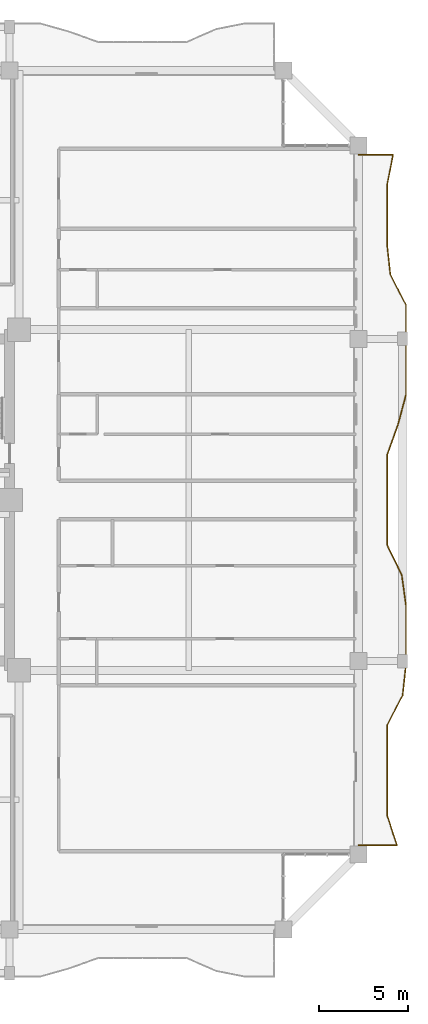
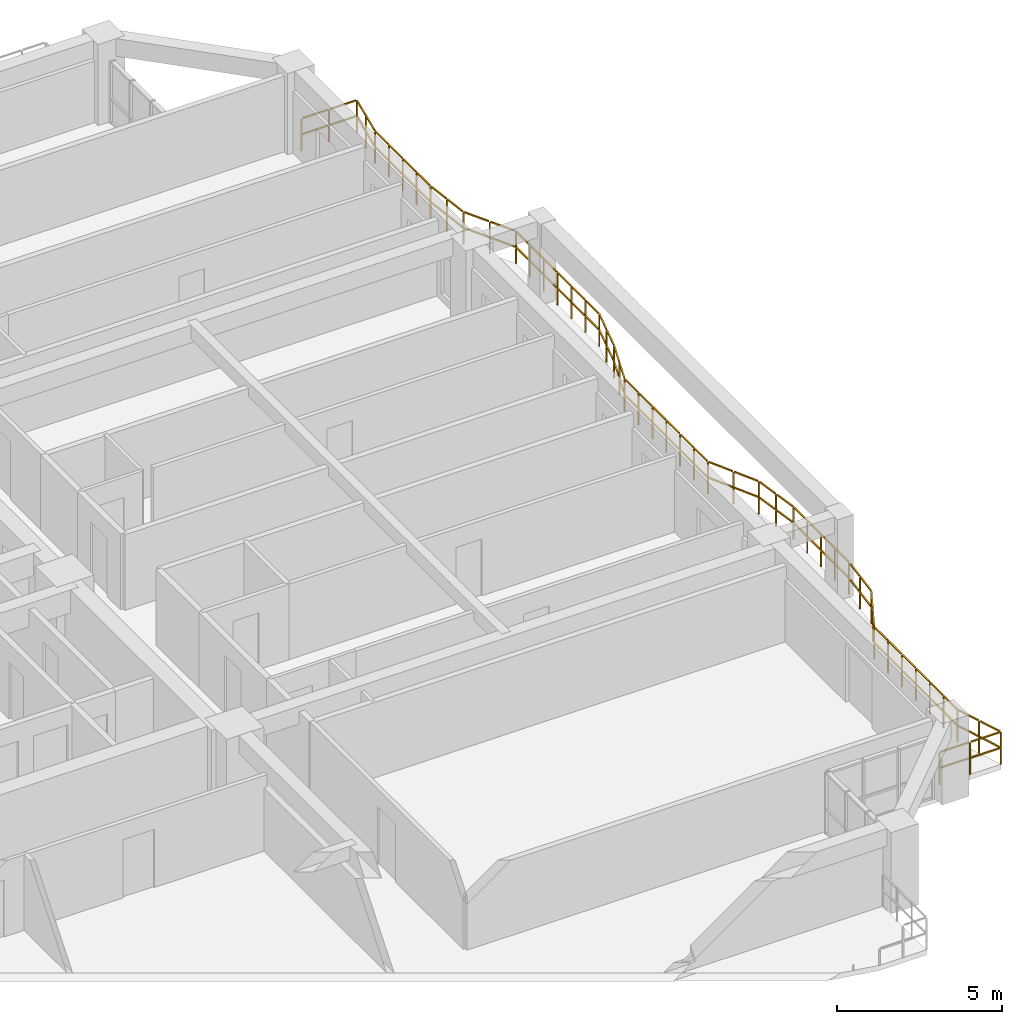
# One storey, part 23 of 24: 1 railing.
"""IFC4 building model written with IfcOpenShell, lengths in metres."""

from ifc_helpers import new_model, si_unit, direction, frame, origin, origin_2d, place, context, subcontext, project, spatial, rectangle, extrude, material, type_object, element, save


model = new_model("IFC4")

# Units and contexts
model_context = context("Model", 3, precision=1e-05, world=origin(), true_north=direction((0.0, 1.0)))
body_context = subcontext(model_context, "Body", "Model", "MODEL_VIEW")
ifc_project = project(units=[si_unit("LENGTHUNIT", "METRE"), si_unit("AREAUNIT", "SQUARE_METRE"), si_unit("VOLUMEUNIT", "CUBIC_METRE"), si_unit("PLANEANGLEUNIT", "RADIAN"), si_unit("MASSUNIT", "GRAM", prefix="KILO")], contexts=[model_context])

# Site, building, storey
site_placement = place(None, origin())
site = spatial("IfcSite", under=ifc_project, at=site_placement, CompositionType="ELEMENT")
building_placement = place(site_placement, origin())
building = spatial("IfcBuilding", under=site, at=building_placement, Name="Saelheon Loggia Tower", CompositionType="ELEMENT")
storey_placement = place(building_placement, frame((0.0, 0.0, 126.75)))
storey = spatial("IfcBuildingStorey", under=building, at=storey_placement, Name="L40", CompositionType="ELEMENT", Elevation=126.75)

# Railing
ifc_material = material(Name="Architectural Precast Concrete and Laminated Glass Guard", Category="concrete")
railing_type = type_object("IfcRailingType", Name="Guard_Loggia_RL_LOG", PredefinedType="BALUSTRADE", material=ifc_material)
railing_placement = place(storey_placement, frame((64.0, 7.699951171875, 0.0)))
element("IfcRailing", 1, at=railing_placement, inside=storey, type_object=railing_type, Name="L40 East Loggia Balustrade", PredefinedType="BALUSTRADE", context=body_context, shape_type="SweptSolid", body=[
    extrude(rectangle(XDim=0.048095703125, YDim=0.048095703125, at=origin_2d()), frame((0.033203125, 0.0, 1.19580078125), z_axis=(1.0, 0.0, 0.0), x_axis=(0.0, 1.0, 0.0)), (0.0, 0.0, 1.0), 1.008544921875),
    extrude(rectangle(XDim=0.048095703125, YDim=0.048095703125, at=origin_2d()), frame((0.033203125, 0.0, 0.60986328125), z_axis=(1.0, 0.0, 0.0), x_axis=(0.0, 1.0, 0.0)), (0.0, 0.0, 1.0), 1.008544921875),
    extrude(rectangle(XDim=0.048095703125, YDim=0.048095703125, at=origin_2d()), frame((1.108154296875, 0.0, 1.19580078125), z_axis=(1.0, 0.0, 0.0), x_axis=(0.0, 1.0, 0.0)), (0.0, 0.0, 1.0), 1.008544921875),
    extrude(rectangle(XDim=0.048095703125, YDim=0.048095703125, at=origin_2d()), frame((1.108154296875, 0.0, 0.60986328125), z_axis=(1.0, 0.0, 0.0), x_axis=(0.0, 1.0, 0.0)), (0.0, 0.0, 1.0), 1.008544921875),
    extrude(rectangle(XDim=0.048095703125, YDim=0.048095703125, at=origin_2d()), frame((2.1396484375, 0.031494140625, 1.19580078125), z_axis=(-0.311288759302, 0.950315373091, 0.0), x_axis=(-0.950315373091, -0.311288759302, 0.0)), (0.0, 0.0, 1.0), 0.816650390625),
    extrude(rectangle(XDim=0.048095703125, YDim=0.048095703125, at=origin_2d()), frame((2.1396484375, 0.031494140625, 0.60986328125), z_axis=(-0.311288759302, 0.950315373091, 0.0), x_axis=(-0.950315373091, -0.311288759302, 0.0)), (0.0, 0.0, 1.0), 0.816650390625),
    extrude(rectangle(XDim=0.048095703125, YDim=0.048095703125, at=origin_2d()), frame((1.86474609375, 0.870849609375, 1.19580078125), z_axis=(-0.311288759302, 0.950315373091, 0.0), x_axis=(-0.950315373091, -0.311288759302, 0.0)), (0.0, 0.0, 1.0), 0.816650390625),
    extrude(rectangle(XDim=0.048095703125, YDim=0.048095703125, at=origin_2d()), frame((1.86474609375, 0.870849609375, 0.60986328125), z_axis=(-0.311288759302, 0.950315373091, 0.0), x_axis=(-0.950315373091, -0.311288759302, 0.0)), (0.0, 0.0, 1.0), 0.816650390625),
    extrude(rectangle(XDim=0.048095703125, YDim=0.048095703125, at=origin_2d()), frame((1.60009765625, 1.711669921875, 1.19580078125), z_axis=(0.0, 1.0, 0.0), x_axis=(-1.0, 0.0, 0.0)), (0.0, 0.0, 1.0), 0.7724609375),
    extrude(rectangle(XDim=0.048095703125, YDim=0.048095703125, at=origin_2d()), frame((1.60009765625, 1.711669921875, 0.60986328125), z_axis=(0.0, 1.0, 0.0), x_axis=(-1.0, 0.0, 0.0)), (0.0, 0.0, 1.0), 0.7724609375),
    extrude(rectangle(XDim=0.048095703125, YDim=0.048095703125, at=origin_2d()), frame((1.60009765625, 2.55078125, 1.19580078125), z_axis=(0.0, 1.0, 0.0), x_axis=(-1.0, 0.0, 0.0)), (0.0, 0.0, 1.0), 0.7724609375),
    extrude(rectangle(XDim=0.048095703125, YDim=0.048095703125, at=origin_2d()), frame((1.60009765625, 2.55078125, 0.60986328125), z_axis=(0.0, 1.0, 0.0), x_axis=(-1.0, 0.0, 0.0)), (0.0, 0.0, 1.0), 0.7724609375),
    extrude(rectangle(XDim=0.048095703125, YDim=0.048095703125, at=origin_2d()), frame((1.60009765625, 3.3896484375, 1.19580078125), z_axis=(0.0, 1.0, 0.0), x_axis=(-1.0, 0.0, 0.0)), (0.0, 0.0, 1.0), 0.772705078125),
    extrude(rectangle(XDim=0.048095703125, YDim=0.048095703125, at=origin_2d()), frame((1.60009765625, 3.3896484375, 0.60986328125), z_axis=(0.0, 1.0, 0.0), x_axis=(-1.0, 0.0, 0.0)), (0.0, 0.0, 1.0), 0.772705078125),
    extrude(rectangle(XDim=0.048095703125, YDim=0.048095703125, at=origin_2d()), frame((1.60009765625, 4.22900390625, 1.19580078125), z_axis=(0.0, 1.0, 0.0), x_axis=(-1.0, 0.0, 0.0)), (0.0, 0.0, 1.0), 0.772705078125),
    extrude(rectangle(XDim=0.048095703125, YDim=0.048095703125, at=origin_2d()), frame((1.60009765625, 4.22900390625, 0.60986328125), z_axis=(0.0, 1.0, 0.0), x_axis=(-1.0, 0.0, 0.0)), (0.0, 0.0, 1.0), 0.772705078125),
    extrude(rectangle(XDim=0.048095703125, YDim=0.048095703125, at=origin_2d()), frame((1.60009765625, 5.068115234375, 1.19580078125), z_axis=(0.0, 1.0, 0.0), x_axis=(-1.0, 0.0, 0.0)), (0.0, 0.0, 1.0), 0.772705078125),
    extrude(rectangle(XDim=0.048095703125, YDim=0.048095703125, at=origin_2d()), frame((1.60009765625, 5.068115234375, 0.60986328125), z_axis=(0.0, 1.0, 0.0), x_axis=(-1.0, 0.0, 0.0)), (0.0, 0.0, 1.0), 0.772705078125),
    extrude(rectangle(XDim=0.048095703125, YDim=0.048095703125, at=origin_2d()), frame((1.60009765625, 5.9072265625, 1.19580078125), z_axis=(0.0, 1.0, 0.0), x_axis=(-1.0, 0.0, 0.0)), (0.0, 0.0, 1.0), 0.772705078125),
    extrude(rectangle(XDim=0.048095703125, YDim=0.048095703125, at=origin_2d()), frame((1.60009765625, 5.9072265625, 0.60986328125), z_axis=(0.0, 1.0, 0.0), x_axis=(-1.0, 0.0, 0.0)), (0.0, 0.0, 1.0), 0.772705078125),
    extrude(rectangle(XDim=0.048095703125, YDim=0.048095703125, at=origin_2d()), frame((1.615478515625, 6.74267578125, 1.19580078125), z_axis=(0.459574052733, 0.888139454171, 0.0), x_axis=(-0.888139454171, 0.459574052733, 0.0)), (0.0, 0.0, 1.0), 0.87841796875),
    extrude(rectangle(XDim=0.048095703125, YDim=0.048095703125, at=origin_2d()), frame((1.615478515625, 6.74267578125, 0.60986328125), z_axis=(0.459574052733, 0.888139454171, 0.0), x_axis=(-0.888139454171, 0.459574052733, 0.0)), (0.0, 0.0, 1.0), 0.87841796875),
    extrude(rectangle(XDim=0.048095703125, YDim=0.048095703125, at=origin_2d()), frame((2.049560546875, 7.581787109375, 1.19580078125), z_axis=(0.459574052733, 0.888139454171, 0.0), x_axis=(-0.888139454171, 0.459574052733, 0.0)), (0.0, 0.0, 1.0), 0.87841796875),
    extrude(rectangle(XDim=0.048095703125, YDim=0.048095703125, at=origin_2d()), frame((2.049560546875, 7.581787109375, 0.60986328125), z_axis=(0.459574052733, 0.888139454171, 0.0), x_axis=(-0.888139454171, 0.459574052733, 0.0)), (0.0, 0.0, 1.0), 0.87841796875),
    extrude(rectangle(XDim=0.048095703125, YDim=0.048095703125, at=origin_2d()), frame((2.47216796875, 8.42431640625, 1.19580078125), z_axis=(0.107462523714, 0.994209135945, 0.0), x_axis=(-0.994209135945, 0.107462523714, 0.0)), (0.0, 0.0, 1.0), 0.777587890625),
    extrude(rectangle(XDim=0.048095703125, YDim=0.048095703125, at=origin_2d()), frame((2.47216796875, 8.42431640625, 0.60986328125), z_axis=(0.107462523714, 0.994209135945, 0.0), x_axis=(-0.994209135945, 0.107462523714, 0.0)), (0.0, 0.0, 1.0), 0.777587890625),
    extrude(rectangle(XDim=0.048095703125, YDim=0.048095703125, at=origin_2d()), frame((2.562744140625, 9.263427734375, 1.19580078125), z_axis=(0.107462523714, 0.994209135945, 0.0), x_axis=(-0.994209135945, 0.107462523714, 0.0)), (0.0, 0.0, 1.0), 0.777587890625),
    extrude(rectangle(XDim=0.048095703125, YDim=0.048095703125, at=origin_2d()), frame((2.562744140625, 9.263427734375, 0.60986328125), z_axis=(0.107462523714, 0.994209135945, 0.0), x_axis=(-0.994209135945, 0.107462523714, 0.0)), (0.0, 0.0, 1.0), 0.777587890625),
    extrude(rectangle(XDim=0.048095703125, YDim=0.048095703125, at=origin_2d()), frame((2.64990234375, 10.102783203125, 1.19580078125), z_axis=(0.0, 1.0, 0.0), x_axis=(-1.0, 0.0, 0.0)), (0.0, 0.0, 1.0), 0.772705078125),
    extrude(rectangle(XDim=0.048095703125, YDim=0.048095703125, at=origin_2d()), frame((2.64990234375, 10.102783203125, 0.60986328125), z_axis=(0.0, 1.0, 0.0), x_axis=(-1.0, 0.0, 0.0)), (0.0, 0.0, 1.0), 0.772705078125),
    extrude(rectangle(XDim=0.048095703125, YDim=0.048095703125, at=origin_2d()), frame((2.64990234375, 10.94189453125, 1.19580078125), z_axis=(0.0, 1.0, 0.0), x_axis=(-1.0, 0.0, 0.0)), (0.0, 0.0, 1.0), 0.772705078125),
    extrude(rectangle(XDim=0.048095703125, YDim=0.048095703125, at=origin_2d()), frame((2.64990234375, 10.94189453125, 0.60986328125), z_axis=(0.0, 1.0, 0.0), x_axis=(-1.0, 0.0, 0.0)), (0.0, 0.0, 1.0), 0.772705078125),
    extrude(rectangle(XDim=0.048095703125, YDim=0.048095703125, at=origin_2d()), frame((2.64990234375, 11.781005859375, 1.19580078125), z_axis=(0.0, 1.0, 0.0), x_axis=(-1.0, 0.0, 0.0)), (0.0, 0.0, 1.0), 0.772705078125),
    extrude(rectangle(XDim=0.048095703125, YDim=0.048095703125, at=origin_2d()), frame((2.64990234375, 11.781005859375, 0.60986328125), z_axis=(0.0, 1.0, 0.0), x_axis=(-1.0, 0.0, 0.0)), (0.0, 0.0, 1.0), 0.772705078125),
    extrude(rectangle(XDim=0.048095703125, YDim=0.048095703125, at=origin_2d()), frame((2.64990234375, 12.620361328125, 1.19580078125), z_axis=(0.0, 1.0, 0.0), x_axis=(-1.0, 0.0, 0.0)), (0.0, 0.0, 1.0), 0.772705078125),
    extrude(rectangle(XDim=0.048095703125, YDim=0.048095703125, at=origin_2d()), frame((2.64990234375, 12.620361328125, 0.60986328125), z_axis=(0.0, 1.0, 0.0), x_axis=(-1.0, 0.0, 0.0)), (0.0, 0.0, 1.0), 0.772705078125),
    extrude(rectangle(XDim=0.048095703125, YDim=0.048095703125, at=origin_2d()), frame((2.645263671875, 13.459228515625, 1.19580078125), z_axis=(-0.13706168357, 0.990562514381, 0.0), x_axis=(-0.990562514381, -0.13706168357, 0.0)), (0.0, 0.0, 1.0), 0.780517578125),
    extrude(rectangle(XDim=0.048095703125, YDim=0.048095703125, at=origin_2d()), frame((2.645263671875, 13.459228515625, 0.60986328125), z_axis=(-0.13706168357, 0.990562514381, 0.0), x_axis=(-0.990562514381, -0.13706168357, 0.0)), (0.0, 0.0, 1.0), 0.780517578125),
    extrude(rectangle(XDim=0.048095703125, YDim=0.048095703125, at=origin_2d()), frame((2.529296875, 14.298095703125, 1.19580078125), z_axis=(-0.13706168357, 0.990562514381, 0.0), x_axis=(-0.990562514381, -0.13706168357, 0.0)), (0.0, 0.0, 1.0), 0.780517578125),
    extrude(rectangle(XDim=0.048095703125, YDim=0.048095703125, at=origin_2d()), frame((2.529296875, 14.298095703125, 0.60986328125), z_axis=(-0.13706168357, 0.990562514381, 0.0), x_axis=(-0.990562514381, -0.13706168357, 0.0)), (0.0, 0.0, 1.0), 0.780517578125),
    extrude(rectangle(XDim=0.048095703125, YDim=0.048095703125, at=origin_2d()), frame((2.403076171875, 15.134033203125, 1.19580078125), z_axis=(-0.437931485797, 0.89900835021, 0.0), x_axis=(-0.89900835021, -0.437931485797, 0.0)), (0.0, 0.0, 1.0), 0.866943359375),
    extrude(rectangle(XDim=0.048095703125, YDim=0.048095703125, at=origin_2d()), frame((2.403076171875, 15.134033203125, 0.60986328125), z_axis=(-0.437931485797, 0.89900835021, 0.0), x_axis=(-0.89900835021, -0.437931485797, 0.0)), (0.0, 0.0, 1.0), 0.866943359375),
    extrude(rectangle(XDim=0.048095703125, YDim=0.048095703125, at=origin_2d()), frame((1.994384765625, 15.973388671875, 1.19580078125), z_axis=(-0.437931485797, 0.89900835021, 0.0), x_axis=(-0.89900835021, -0.437931485797, 0.0)), (0.0, 0.0, 1.0), 0.866943359375),
    extrude(rectangle(XDim=0.048095703125, YDim=0.048095703125, at=origin_2d()), frame((1.994384765625, 15.973388671875, 0.60986328125), z_axis=(-0.437931485797, 0.89900835021, 0.0), x_axis=(-0.89900835021, -0.437931485797, 0.0)), (0.0, 0.0, 1.0), 0.866943359375),
    extrude(rectangle(XDim=0.048095703125, YDim=0.048095703125, at=origin_2d()), frame((1.60009765625, 16.81591796875, 1.19580078125), z_axis=(0.0, 1.0, 0.0), x_axis=(-1.0, 0.0, 0.0)), (0.0, 0.0, 1.0), 0.772705078125),
    extrude(rectangle(XDim=0.048095703125, YDim=0.048095703125, at=origin_2d()), frame((1.60009765625, 16.81591796875, 0.60986328125), z_axis=(0.0, 1.0, 0.0), x_axis=(-1.0, 0.0, 0.0)), (0.0, 0.0, 1.0), 0.772705078125),
    extrude(rectangle(XDim=0.048095703125, YDim=0.048095703125, at=origin_2d()), frame((1.60009765625, 17.655029296875, 1.19580078125), z_axis=(0.0, 1.0, 0.0), x_axis=(-1.0, 0.0, 0.0)), (0.0, 0.0, 1.0), 0.772705078125),
    extrude(rectangle(XDim=0.048095703125, YDim=0.048095703125, at=origin_2d()), frame((1.60009765625, 17.655029296875, 0.60986328125), z_axis=(0.0, 1.0, 0.0), x_axis=(-1.0, 0.0, 0.0)), (0.0, 0.0, 1.0), 0.772705078125),
    extrude(rectangle(XDim=0.048095703125, YDim=0.048095703125, at=origin_2d()), frame((1.60009765625, 18.494140625, 1.19580078125), z_axis=(0.0, 1.0, 0.0), x_axis=(-1.0, 0.0, 0.0)), (0.0, 0.0, 1.0), 0.772705078125),
    extrude(rectangle(XDim=0.048095703125, YDim=0.048095703125, at=origin_2d()), frame((1.60009765625, 18.494140625, 0.60986328125), z_axis=(0.0, 1.0, 0.0), x_axis=(-1.0, 0.0, 0.0)), (0.0, 0.0, 1.0), 0.772705078125),
    extrude(rectangle(XDim=0.048095703125, YDim=0.048095703125, at=origin_2d()), frame((1.60009765625, 19.333251953125, 1.19580078125), z_axis=(0.0, 1.0, 0.0), x_axis=(-1.0, 0.0, 0.0)), (0.0, 0.0, 1.0), 0.772705078125),
    extrude(rectangle(XDim=0.048095703125, YDim=0.048095703125, at=origin_2d()), frame((1.60009765625, 19.333251953125, 0.60986328125), z_axis=(0.0, 1.0, 0.0), x_axis=(-1.0, 0.0, 0.0)), (0.0, 0.0, 1.0), 0.772705078125),
    extrude(rectangle(XDim=0.048095703125, YDim=0.048095703125, at=origin_2d()), frame((1.60009765625, 20.17236328125, 1.19580078125), z_axis=(0.0, 1.0, 0.0), x_axis=(-1.0, 0.0, 0.0)), (0.0, 0.0, 1.0), 0.772705078125),
    extrude(rectangle(XDim=0.048095703125, YDim=0.048095703125, at=origin_2d()), frame((1.60009765625, 20.17236328125, 0.60986328125), z_axis=(0.0, 1.0, 0.0), x_axis=(-1.0, 0.0, 0.0)), (0.0, 0.0, 1.0), 0.772705078125),
    extrude(rectangle(XDim=0.048095703125, YDim=0.048095703125, at=origin_2d()), frame((1.60009765625, 21.011474609375, 1.19580078125), z_axis=(0.0, 1.0, 0.0), x_axis=(-1.0, 0.0, 0.0)), (0.0, 0.0, 1.0), 0.772705078125),
    extrude(rectangle(XDim=0.048095703125, YDim=0.048095703125, at=origin_2d()), frame((1.60009765625, 21.011474609375, 0.60986328125), z_axis=(0.0, 1.0, 0.0), x_axis=(-1.0, 0.0, 0.0)), (0.0, 0.0, 1.0), 0.772705078125),
    extrude(rectangle(XDim=0.048095703125, YDim=0.048095703125, at=origin_2d()), frame((1.611328125, 21.8486328125, 1.19580078125), z_axis=(0.337507079307, 0.941322989955, 0.0), x_axis=(-0.941322989955, 0.337507079307, 0.0)), (0.0, 0.0, 1.0), 0.8251953125),
    extrude(rectangle(XDim=0.048095703125, YDim=0.048095703125, at=origin_2d()), frame((1.611328125, 21.8486328125, 0.60986328125), z_axis=(0.337507079307, 0.941322989955, 0.0), x_axis=(-0.941322989955, 0.337507079307, 0.0)), (0.0, 0.0, 1.0), 0.8251953125),
    extrude(rectangle(XDim=0.048095703125, YDim=0.048095703125, at=origin_2d()), frame((1.912109375, 22.68798828125, 1.19580078125), z_axis=(0.337507079307, 0.941322989955, 0.0), x_axis=(-0.941322989955, 0.337507079307, 0.0)), (0.0, 0.0, 1.0), 0.8251953125),
    extrude(rectangle(XDim=0.048095703125, YDim=0.048095703125, at=origin_2d()), frame((1.912109375, 22.68798828125, 0.60986328125), z_axis=(0.337507079307, 0.941322989955, 0.0), x_axis=(-0.941322989955, 0.337507079307, 0.0)), (0.0, 0.0, 1.0), 0.8251953125),
    extrude(rectangle(XDim=0.048095703125, YDim=0.048095703125, at=origin_2d()), frame((2.21044921875, 23.528076171875, 1.19580078125), z_axis=(0.257951367735, 0.966157902148, 0.0), x_axis=(-0.966157902148, 0.257951367735, 0.0)), (0.0, 0.0, 1.0), 0.802001953125),
    extrude(rectangle(XDim=0.048095703125, YDim=0.048095703125, at=origin_2d()), frame((2.21044921875, 23.528076171875, 0.60986328125), z_axis=(0.257951367735, 0.966157902148, 0.0), x_axis=(-0.966157902148, 0.257951367735, 0.0)), (0.0, 0.0, 1.0), 0.802001953125),
    extrude(rectangle(XDim=0.048095703125, YDim=0.048095703125, at=origin_2d()), frame((2.4345703125, 24.366943359375, 1.19580078125), z_axis=(0.257951367735, 0.966157902148, 0.0), x_axis=(-0.966157902148, 0.257951367735, 0.0)), (0.0, 0.0, 1.0), 0.802001953125),
    extrude(rectangle(XDim=0.048095703125, YDim=0.048095703125, at=origin_2d()), frame((2.4345703125, 24.366943359375, 0.60986328125), z_axis=(0.257951367735, 0.966157902148, 0.0), x_axis=(-0.966157902148, 0.257951367735, 0.0)), (0.0, 0.0, 1.0), 0.802001953125),
    extrude(rectangle(XDim=0.048095703125, YDim=0.048095703125, at=origin_2d()), frame((2.64990234375, 25.20703125, 1.19580078125), z_axis=(0.0, 1.0, 0.0), x_axis=(-1.0, 0.0, 0.0)), (0.0, 0.0, 1.0), 0.772705078125),
    extrude(rectangle(XDim=0.048095703125, YDim=0.048095703125, at=origin_2d()), frame((2.64990234375, 25.20703125, 0.60986328125), z_axis=(0.0, 1.0, 0.0), x_axis=(-1.0, 0.0, 0.0)), (0.0, 0.0, 1.0), 0.772705078125),
    extrude(rectangle(XDim=0.048095703125, YDim=0.048095703125, at=origin_2d()), frame((2.64990234375, 26.04638671875, 1.19580078125), z_axis=(0.0, 1.0, 0.0), x_axis=(-1.0, 0.0, 0.0)), (0.0, 0.0, 1.0), 0.772705078125),
    extrude(rectangle(XDim=0.048095703125, YDim=0.048095703125, at=origin_2d()), frame((2.64990234375, 26.04638671875, 0.60986328125), z_axis=(0.0, 1.0, 0.0), x_axis=(-1.0, 0.0, 0.0)), (0.0, 0.0, 1.0), 0.772705078125),
    extrude(rectangle(XDim=0.048095703125, YDim=0.048095703125, at=origin_2d()), frame((2.64990234375, 26.885498046875, 1.19580078125), z_axis=(0.0, 1.0, 0.0), x_axis=(-1.0, 0.0, 0.0)), (0.0, 0.0, 1.0), 0.772705078125),
    extrude(rectangle(XDim=0.048095703125, YDim=0.048095703125, at=origin_2d()), frame((2.64990234375, 26.885498046875, 0.60986328125), z_axis=(0.0, 1.0, 0.0), x_axis=(-1.0, 0.0, 0.0)), (0.0, 0.0, 1.0), 0.772705078125),
    extrude(rectangle(XDim=0.048095703125, YDim=0.048095703125, at=origin_2d()), frame((2.64990234375, 27.724609375, 1.19580078125), z_axis=(0.0, 1.0, 0.0), x_axis=(-1.0, 0.0, 0.0)), (0.0, 0.0, 1.0), 0.772705078125),
    extrude(rectangle(XDim=0.048095703125, YDim=0.048095703125, at=origin_2d()), frame((2.64990234375, 27.724609375, 0.60986328125), z_axis=(0.0, 1.0, 0.0), x_axis=(-1.0, 0.0, 0.0)), (0.0, 0.0, 1.0), 0.772705078125),
    extrude(rectangle(XDim=0.048095703125, YDim=0.048095703125, at=origin_2d()), frame((2.64990234375, 28.563720703125, 1.19580078125), z_axis=(0.0, 1.0, 0.0), x_axis=(-1.0, 0.0, 0.0)), (0.0, 0.0, 1.0), 0.772705078125),
    extrude(rectangle(XDim=0.048095703125, YDim=0.048095703125, at=origin_2d()), frame((2.64990234375, 28.563720703125, 0.60986328125), z_axis=(0.0, 1.0, 0.0), x_axis=(-1.0, 0.0, 0.0)), (0.0, 0.0, 1.0), 0.772705078125),
    extrude(rectangle(XDim=0.048095703125, YDim=0.048095703125, at=origin_2d()), frame((2.64990234375, 29.40283203125, 1.19580078125), z_axis=(0.0, 1.0, 0.0), x_axis=(-1.0, 0.0, 0.0)), (0.0, 0.0, 1.0), 0.772705078125),
    extrude(rectangle(XDim=0.048095703125, YDim=0.048095703125, at=origin_2d()), frame((2.64990234375, 29.40283203125, 0.60986328125), z_axis=(0.0, 1.0, 0.0), x_axis=(-1.0, 0.0, 0.0)), (0.0, 0.0, 1.0), 0.772705078125),
    extrude(rectangle(XDim=0.048095703125, YDim=0.048095703125, at=origin_2d()), frame((2.634521484375, 30.23828125, 1.19580078125), z_axis=(-0.459675957683, 0.88808671532, 0.0), x_axis=(-0.88808671532, -0.459675957683, 0.0)), (0.0, 0.0, 1.0), 0.87841796875),
    extrude(rectangle(XDim=0.048095703125, YDim=0.048095703125, at=origin_2d()), frame((2.634521484375, 30.23828125, 0.60986328125), z_axis=(-0.459675957683, 0.88808671532, 0.0), x_axis=(-0.88808671532, -0.459675957683, 0.0)), (0.0, 0.0, 1.0), 0.87841796875),
    extrude(rectangle(XDim=0.048095703125, YDim=0.048095703125, at=origin_2d()), frame((2.2001953125, 31.077392578125, 1.19580078125), z_axis=(-0.459675957683, 0.88808671532, 0.0), x_axis=(-0.88808671532, -0.459675957683, 0.0)), (0.0, 0.0, 1.0), 0.87841796875),
    extrude(rectangle(XDim=0.048095703125, YDim=0.048095703125, at=origin_2d()), frame((2.2001953125, 31.077392578125, 0.60986328125), z_axis=(-0.459675957683, 0.88808671532, 0.0), x_axis=(-0.88808671532, -0.459675957683, 0.0)), (0.0, 0.0, 1.0), 0.87841796875),
    extrude(rectangle(XDim=0.048095703125, YDim=0.048095703125, at=origin_2d()), frame((1.777587890625, 31.919921875, 1.19580078125), z_axis=(-0.10731955736, 0.994224578558, 0.0), x_axis=(-0.994224578558, -0.10731955736, 0.0)), (0.0, 0.0, 1.0), 0.777587890625),
    extrude(rectangle(XDim=0.048095703125, YDim=0.048095703125, at=origin_2d()), frame((1.777587890625, 31.919921875, 0.60986328125), z_axis=(-0.10731955736, 0.994224578558, 0.0), x_axis=(-0.994224578558, -0.10731955736, 0.0)), (0.0, 0.0, 1.0), 0.777587890625),
    extrude(rectangle(XDim=0.048095703125, YDim=0.048095703125, at=origin_2d()), frame((1.68701171875, 32.759033203125, 1.19580078125), z_axis=(-0.10731955736, 0.994224578558, 0.0), x_axis=(-0.994224578558, -0.10731955736, 0.0)), (0.0, 0.0, 1.0), 0.777587890625),
    extrude(rectangle(XDim=0.048095703125, YDim=0.048095703125, at=origin_2d()), frame((1.68701171875, 32.759033203125, 0.60986328125), z_axis=(-0.10731955736, 0.994224578558, 0.0), x_axis=(-0.994224578558, -0.10731955736, 0.0)), (0.0, 0.0, 1.0), 0.777587890625),
    extrude(rectangle(XDim=0.048095703125, YDim=0.048095703125, at=origin_2d()), frame((1.60009765625, 33.598388671875, 1.19580078125), z_axis=(0.0, 1.0, 0.0), x_axis=(-1.0, 0.0, 0.0)), (0.0, 0.0, 1.0), 0.772705078125),
    extrude(rectangle(XDim=0.048095703125, YDim=0.048095703125, at=origin_2d()), frame((1.60009765625, 33.598388671875, 0.60986328125), z_axis=(0.0, 1.0, 0.0), x_axis=(-1.0, 0.0, 0.0)), (0.0, 0.0, 1.0), 0.772705078125),
    extrude(rectangle(XDim=0.048095703125, YDim=0.048095703125, at=origin_2d()), frame((1.60009765625, 34.437744140625, 1.19580078125), z_axis=(0.0, 1.0, 0.0), x_axis=(-1.0, 0.0, 0.0)), (0.0, 0.0, 1.0), 0.772705078125),
    extrude(rectangle(XDim=0.048095703125, YDim=0.048095703125, at=origin_2d()), frame((1.60009765625, 34.437744140625, 0.60986328125), z_axis=(0.0, 1.0, 0.0), x_axis=(-1.0, 0.0, 0.0)), (0.0, 0.0, 1.0), 0.772705078125),
    extrude(rectangle(XDim=0.048095703125, YDim=0.048095703125, at=origin_2d()), frame((1.60009765625, 35.27685546875, 1.19580078125), z_axis=(0.0, 1.0, 0.0), x_axis=(-1.0, 0.0, 0.0)), (0.0, 0.0, 1.0), 0.7724609375),
    extrude(rectangle(XDim=0.048095703125, YDim=0.048095703125, at=origin_2d()), frame((1.60009765625, 35.27685546875, 0.60986328125), z_axis=(0.0, 1.0, 0.0), x_axis=(-1.0, 0.0, 0.0)), (0.0, 0.0, 1.0), 0.7724609375),
    extrude(rectangle(XDim=0.048095703125, YDim=0.048095703125, at=origin_2d()), frame((1.60009765625, 36.115966796875, 1.19580078125), z_axis=(0.0, 1.0, 0.0), x_axis=(-1.0, 0.0, 0.0)), (0.0, 0.0, 1.0), 0.7724609375),
    extrude(rectangle(XDim=0.048095703125, YDim=0.048095703125, at=origin_2d()), frame((1.60009765625, 36.115966796875, 0.60986328125), z_axis=(0.0, 1.0, 0.0), x_axis=(-1.0, 0.0, 0.0)), (0.0, 0.0, 1.0), 0.7724609375),
    extrude(rectangle(XDim=0.048095703125, YDim=0.048095703125, at=origin_2d()), frame((1.606689453125, 36.954345703125, 1.19580078125), z_axis=(0.194744119332, 0.980854080883, 0.0), x_axis=(-0.980854080883, 0.194744119332, 0.0)), (0.0, 0.0, 1.0), 0.7890625),
    extrude(rectangle(XDim=0.048095703125, YDim=0.048095703125, at=origin_2d()), frame((1.606689453125, 36.954345703125, 0.60986328125), z_axis=(0.194744119332, 0.980854080883, 0.0), x_axis=(-0.980854080883, 0.194744119332, 0.0)), (0.0, 0.0, 1.0), 0.7890625),
    extrude(rectangle(XDim=0.048095703125, YDim=0.048095703125, at=origin_2d()), frame((1.773193359375, 37.79345703125, 1.19580078125), z_axis=(0.194744119332, 0.980854080883, 0.0), x_axis=(-0.980854080883, 0.194744119332, 0.0)), (0.0, 0.0, 1.0), 0.7890625),
    extrude(rectangle(XDim=0.048095703125, YDim=0.048095703125, at=origin_2d()), frame((1.773193359375, 37.79345703125, 0.60986328125), z_axis=(0.194744119332, 0.980854080883, 0.0), x_axis=(-0.980854080883, 0.194744119332, 0.0)), (0.0, 0.0, 1.0), 0.7890625),
    extrude(rectangle(XDim=0.048095703125, YDim=0.048095703125, at=origin_2d()), frame((1.900146484375, 38.60009765625, 1.19580078125), z_axis=(-1.0, 0.0, 0.0), x_axis=(0.0, -1.0, 0.0)), (0.0, 0.0, 1.0), 0.900146484375),
    extrude(rectangle(XDim=0.048095703125, YDim=0.048095703125, at=origin_2d()), frame((1.900146484375, 38.60009765625, 0.60986328125), z_axis=(-1.0, 0.0, 0.0), x_axis=(0.0, -1.0, 0.0)), (0.0, 0.0, 1.0), 0.900146484375),
    extrude(rectangle(XDim=0.048095703125, YDim=0.048095703125, at=origin_2d()), frame((0.933349609375, 38.60009765625, 1.19580078125), z_axis=(-1.0, 0.0, 0.0), x_axis=(0.0, -1.0, 0.0)), (0.0, 0.0, 1.0), 0.900146484375),
    extrude(rectangle(XDim=0.048095703125, YDim=0.048095703125, at=origin_2d()), frame((0.933349609375, 38.60009765625, 0.60986328125), z_axis=(-1.0, 0.0, 0.0), x_axis=(0.0, -1.0, 0.0)), (0.0, 0.0, 1.0), 0.900146484375),
    extrude(rectangle(XDim=0.0419921875, YDim=0.0419921875, at=origin_2d()), origin(), (0.0, 0.0, 1.0), 1.16796875),
    extrude(rectangle(XDim=0.0419921875, YDim=0.0419921875, at=origin_2d()), frame((1.074951171875, 0.0, 0.0)), (0.0, 0.0, 1.0), 1.16796875),
    extrude(rectangle(XDim=0.0419921875, YDim=0.0419921875, at=origin_2d()), frame((2.14990234375, 0.0, 0.0)), (0.0, 0.0, 1.0), 1.16796875),
    extrude(rectangle(XDim=0.0419921875, YDim=0.0419921875, at=origin_2d()), frame((1.875, 0.83935546875, 0.0)), (0.0, 0.0, 1.0), 1.16796875),
    extrude(rectangle(XDim=0.0419921875, YDim=0.0419921875, at=origin_2d()), frame((1.60009765625, 1.678466796875, 0.0)), (0.0, 0.0, 1.0), 1.16796875),
    extrude(rectangle(XDim=0.0419921875, YDim=0.0419921875, at=origin_2d()), frame((1.60009765625, 2.517578125, 0.0)), (0.0, 0.0, 1.0), 1.16796875),
    extrude(rectangle(XDim=0.0419921875, YDim=0.0419921875, at=origin_2d()), frame((1.60009765625, 3.3564453125, 0.0)), (0.0, 0.0, 1.0), 1.16796875),
    extrude(rectangle(XDim=0.0419921875, YDim=0.0419921875, at=origin_2d()), frame((1.60009765625, 4.19580078125, 0.0)), (0.0, 0.0, 1.0), 1.16796875),
    extrude(rectangle(XDim=0.0419921875, YDim=0.0419921875, at=origin_2d()), frame((1.60009765625, 5.034912109375, 0.0)), (0.0, 0.0, 1.0), 1.16796875),
    extrude(rectangle(XDim=0.0419921875, YDim=0.0419921875, at=origin_2d()), frame((1.60009765625, 5.8740234375, 0.0)), (0.0, 0.0, 1.0), 1.16796875),
    extrude(rectangle(XDim=0.0419921875, YDim=0.0419921875, at=origin_2d()), frame((1.60009765625, 6.713134765625, 0.0)), (0.0, 0.0, 1.0), 1.16796875),
    extrude(rectangle(XDim=0.0419921875, YDim=0.0419921875, at=origin_2d()), frame((2.0341796875, 7.55224609375, 0.0)), (0.0, 0.0, 1.0), 1.16796875),
    extrude(rectangle(XDim=0.0419921875, YDim=0.0419921875, at=origin_2d()), frame((2.468505859375, 8.391357421875, 0.0)), (0.0, 0.0, 1.0), 1.16796875),
    extrude(rectangle(XDim=0.0419921875, YDim=0.0419921875, at=origin_2d()), frame((2.55908203125, 9.23046875, 0.0)), (0.0, 0.0, 1.0), 1.16796875),
    extrude(rectangle(XDim=0.0419921875, YDim=0.0419921875, at=origin_2d()), frame((2.64990234375, 10.069580078125, 0.0)), (0.0, 0.0, 1.0), 1.16796875),
    extrude(rectangle(XDim=0.0419921875, YDim=0.0419921875, at=origin_2d()), frame((2.64990234375, 10.90869140625, 0.0)), (0.0, 0.0, 1.0), 1.16796875),
    extrude(rectangle(XDim=0.0419921875, YDim=0.0419921875, at=origin_2d()), frame((2.64990234375, 11.747802734375, 0.0)), (0.0, 0.0, 1.0), 1.16796875),
    extrude(rectangle(XDim=0.0419921875, YDim=0.0419921875, at=origin_2d()), frame((2.64990234375, 12.5869140625, 0.0)), (0.0, 0.0, 1.0), 1.16796875),
    extrude(rectangle(XDim=0.0419921875, YDim=0.0419921875, at=origin_2d()), frame((2.64990234375, 13.42626953125, 0.0)), (0.0, 0.0, 1.0), 1.16796875),
    extrude(rectangle(XDim=0.0419921875, YDim=0.0419921875, at=origin_2d()), frame((2.53369140625, 14.26513671875, 0.0)), (0.0, 0.0, 1.0), 1.16796875),
    extrude(rectangle(XDim=0.0419921875, YDim=0.0419921875, at=origin_2d()), frame((2.417724609375, 15.104248046875, 0.0)), (0.0, 0.0, 1.0), 1.16796875),
    extrude(rectangle(XDim=0.0419921875, YDim=0.0419921875, at=origin_2d()), frame((2.0087890625, 15.943359375, 0.0)), (0.0, 0.0, 1.0), 1.16796875),
    extrude(rectangle(XDim=0.0419921875, YDim=0.0419921875, at=origin_2d()), frame((1.60009765625, 16.78271484375, 0.0)), (0.0, 0.0, 1.0), 1.16796875),
    extrude(rectangle(XDim=0.0419921875, YDim=0.0419921875, at=origin_2d()), frame((1.60009765625, 17.621826171875, 0.0)), (0.0, 0.0, 1.0), 1.16796875),
    extrude(rectangle(XDim=0.0419921875, YDim=0.0419921875, at=origin_2d()), frame((1.60009765625, 18.4609375, 0.0)), (0.0, 0.0, 1.0), 1.16796875),
    extrude(rectangle(XDim=0.0419921875, YDim=0.0419921875, at=origin_2d()), frame((1.60009765625, 19.300048828125, 0.0)), (0.0, 0.0, 1.0), 1.16796875),
    extrude(rectangle(XDim=0.0419921875, YDim=0.0419921875, at=origin_2d()), frame((1.60009765625, 20.13916015625, 0.0)), (0.0, 0.0, 1.0), 1.16796875),
    extrude(rectangle(XDim=0.0419921875, YDim=0.0419921875, at=origin_2d()), frame((1.60009765625, 20.978271484375, 0.0)), (0.0, 0.0, 1.0), 1.16796875),
    extrude(rectangle(XDim=0.0419921875, YDim=0.0419921875, at=origin_2d()), frame((1.60009765625, 21.8173828125, 0.0)), (0.0, 0.0, 1.0), 1.16796875),
    extrude(rectangle(XDim=0.0419921875, YDim=0.0419921875, at=origin_2d()), frame((1.90087890625, 22.65673828125, 0.0)), (0.0, 0.0, 1.0), 1.16796875),
    extrude(rectangle(XDim=0.0419921875, YDim=0.0419921875, at=origin_2d()), frame((2.201904296875, 23.495849609375, 0.0)), (0.0, 0.0, 1.0), 1.16796875),
    extrude(rectangle(XDim=0.0419921875, YDim=0.0419921875, at=origin_2d()), frame((2.42578125, 24.3349609375, 0.0)), (0.0, 0.0, 1.0), 1.16796875),
    extrude(rectangle(XDim=0.0419921875, YDim=0.0419921875, at=origin_2d()), frame((2.64990234375, 25.173828125, 0.0)), (0.0, 0.0, 1.0), 1.16796875),
    extrude(rectangle(XDim=0.0419921875, YDim=0.0419921875, at=origin_2d()), frame((2.64990234375, 26.01318359375, 0.0)), (0.0, 0.0, 1.0), 1.16796875),
    extrude(rectangle(XDim=0.0419921875, YDim=0.0419921875, at=origin_2d()), frame((2.64990234375, 26.852294921875, 0.0)), (0.0, 0.0, 1.0), 1.16796875),
    extrude(rectangle(XDim=0.0419921875, YDim=0.0419921875, at=origin_2d()), frame((2.64990234375, 27.69140625, 0.0)), (0.0, 0.0, 1.0), 1.16796875),
    extrude(rectangle(XDim=0.0419921875, YDim=0.0419921875, at=origin_2d()), frame((2.64990234375, 28.530517578125, 0.0)), (0.0, 0.0, 1.0), 1.16796875),
    extrude(rectangle(XDim=0.0419921875, YDim=0.0419921875, at=origin_2d()), frame((2.64990234375, 29.36962890625, 0.0)), (0.0, 0.0, 1.0), 1.16796875),
    extrude(rectangle(XDim=0.0419921875, YDim=0.0419921875, at=origin_2d()), frame((2.64990234375, 30.208740234375, 0.0)), (0.0, 0.0, 1.0), 1.16796875),
    extrude(rectangle(XDim=0.0419921875, YDim=0.0419921875, at=origin_2d()), frame((2.215576171875, 31.0478515625, 0.0)), (0.0, 0.0, 1.0), 1.16796875),
    extrude(rectangle(XDim=0.0419921875, YDim=0.0419921875, at=origin_2d()), frame((1.78125, 31.886962890625, 0.0)), (0.0, 0.0, 1.0), 1.16796875),
    extrude(rectangle(XDim=0.0419921875, YDim=0.0419921875, at=origin_2d()), frame((1.690673828125, 32.72607421875, 0.0)), (0.0, 0.0, 1.0), 1.16796875),
    extrude(rectangle(XDim=0.0419921875, YDim=0.0419921875, at=origin_2d()), frame((1.60009765625, 33.565185546875, 0.0)), (0.0, 0.0, 1.0), 1.16796875),
    extrude(rectangle(XDim=0.0419921875, YDim=0.0419921875, at=origin_2d()), frame((1.60009765625, 34.404296875, 0.0)), (0.0, 0.0, 1.0), 1.16796875),
    extrude(rectangle(XDim=0.0419921875, YDim=0.0419921875, at=origin_2d()), frame((1.60009765625, 35.24365234375, 0.0)), (0.0, 0.0, 1.0), 1.16796875),
    extrude(rectangle(XDim=0.0419921875, YDim=0.0419921875, at=origin_2d()), frame((1.60009765625, 36.08251953125, 0.0)), (0.0, 0.0, 1.0), 1.16796875),
    extrude(rectangle(XDim=0.0419921875, YDim=0.0419921875, at=origin_2d()), frame((1.60009765625, 36.921630859375, 0.0)), (0.0, 0.0, 1.0), 1.16796875),
    extrude(rectangle(XDim=0.0419921875, YDim=0.0419921875, at=origin_2d()), frame((1.7666015625, 37.7607421875, 0.0)), (0.0, 0.0, 1.0), 1.16796875),
    extrude(rectangle(XDim=0.0419921875, YDim=0.0419921875, at=origin_2d()), frame((1.933349609375, 38.60009765625, 0.0)), (0.0, 0.0, 1.0), 1.16796875),
    extrude(rectangle(XDim=0.0419921875, YDim=0.0419921875, at=origin_2d()), frame((0.966796875, 38.60009765625, 0.0)), (0.0, 0.0, 1.0), 1.16796875),
    extrude(rectangle(XDim=0.0419921875, YDim=0.0419921875, at=origin_2d()), frame((0.0, 38.60009765625, 0.0)), (0.0, 0.0, 1.0), 1.16796875),
])

save(model, "model.ifc")
